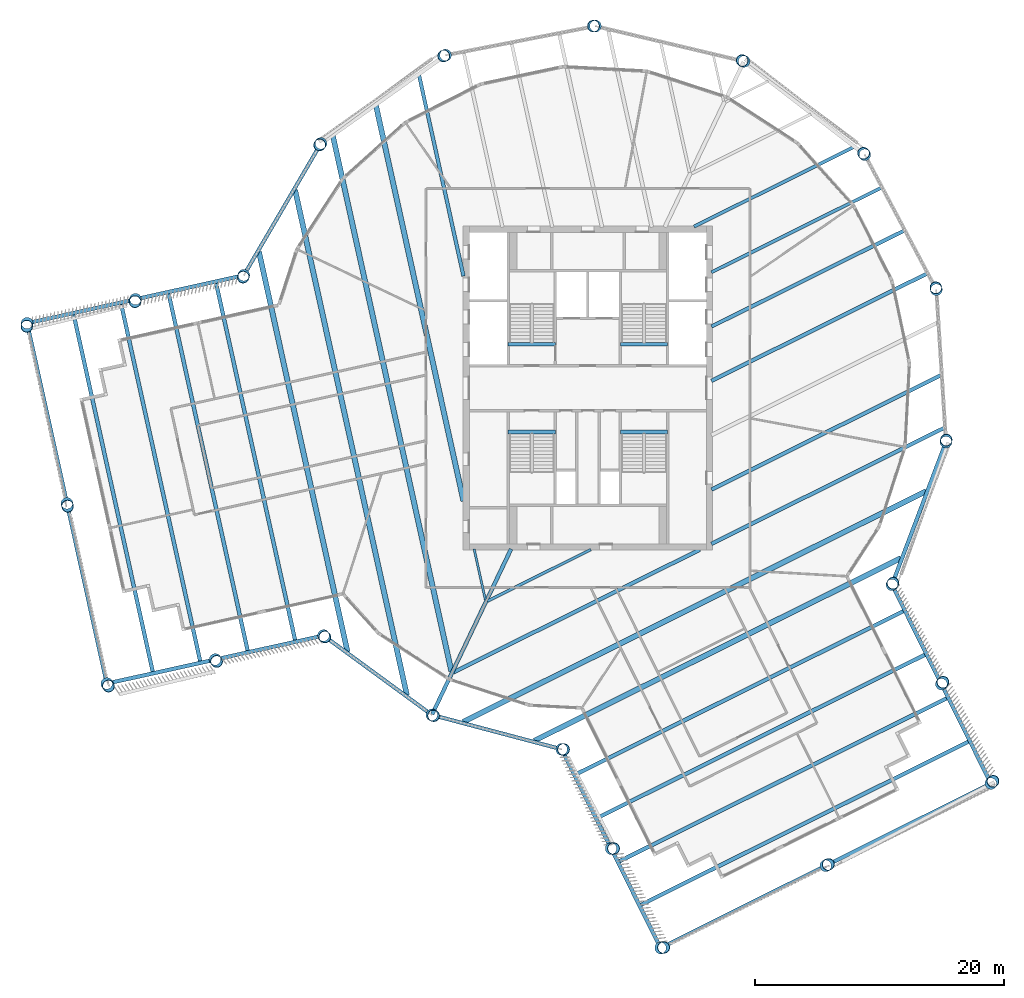
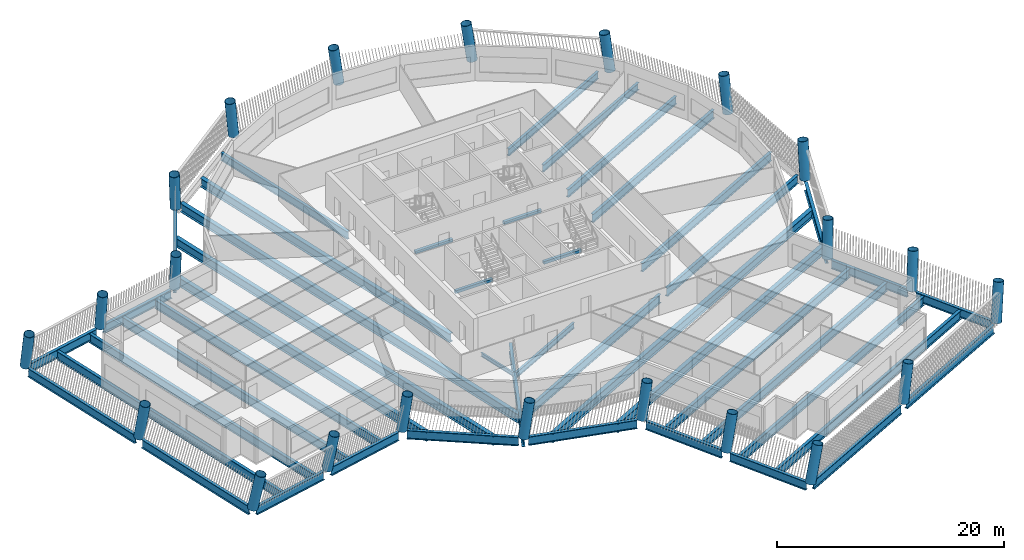
# One storey, part 1 of 14: 45 beams, 22 columns.
"""IFC4 building model written with IfcOpenShell, lengths in metres."""

from ifc_helpers import new_model, si_unit, direction, frame, origin, origin_2d, place, context, subcontext, project, spatial, rectangle, hollow_circle, i_section, extrude, material, material_profile, profile_set, type_object, element, save


model = new_model("IFC4")

# Units and contexts
model_context = context("Model", 3, precision=1e-05, world=origin(), true_north=direction((0.0, 1.0)))
body_context = subcontext(model_context, "Body", "Model", "MODEL_VIEW")
ifc_project = project(units=[si_unit("LENGTHUNIT", "METRE"), si_unit("AREAUNIT", "SQUARE_METRE"), si_unit("VOLUMEUNIT", "CUBIC_METRE"), si_unit("PLANEANGLEUNIT", "RADIAN"), si_unit("MASSUNIT", "GRAM", prefix="KILO")], contexts=[model_context])

# Site, building, storey
site_placement = place(None, origin())
site = spatial("IfcSite", under=ifc_project, at=site_placement, CompositionType="ELEMENT")
building_placement = place(site_placement, origin())
building = spatial("IfcBuilding", under=site, at=building_placement, Name="Tarsis Ring Headquarters", CompositionType="ELEMENT")
storey_placement = place(building_placement, frame((0.0, 0.0, 335.300048828125)))
storey = spatial("IfcBuildingStorey", under=building, at=storey_placement, Name="L79", CompositionType="ELEMENT", Elevation=335.300048828125)

# Columns
ifc_material_1 = material(Name="Structural steel S355", Category="steel")
ifc_material_profile_1 = material_profile(ifc_material_1, hollow_circle(Radius=0.482666015625, WallThickness=0.0400390625, at=origin_2d()), Name="CHS 965x40")
ifc_profile_set_1 = profile_set([ifc_material_profile_1], Name="Structural steel S355")
column_type = type_object("IfcColumnType", Name="XC Exo column CHS 965x40", PredefinedType="COLUMN", material=ifc_profile_set_1)
for number, where, z_axis, x_axis, name in (
    (1, (-12.5146484375, -26.21435546875, 0.0009765625), (0.121405783432, -0.056668445947, 0.990984017522), (0.422961547617, 0.906147631039, 0.0), "Exo column XC7 F1"),
    (2, (-2.10205078125, -28.972412109375, 0.0009765625), (0.133695658914, -0.00844132294, 0.990986485707), (0.063012873323, 0.998012714245, 0.0), "Exo column XC7 AK"),
):
    element("IfcColumn", number, at=place(storey_placement, frame(where, z_axis=z_axis, x_axis=x_axis)), inside=storey, type_object=column_type, Name=name, PredefinedType="COLUMN", context=body_context, shape_type="SweptSolid", body=[
        extrude(hollow_circle(Radius=0.482666015625, WallThickness=0.0400390625, at=origin_2d()), origin(), (0.0, 0.0, 1.0), 3.933349609375),
    ])
column_1_placement = place(storey_placement, frame((1.867431640625, -36.940673828125, 0.001220703125), z_axis=(0.169333814964, 0.010124223716, 0.98550675249), x_axis=(-0.059681976123, 0.998217442107, 0.0)))
element("IfcColumn", 3, at=column_1_placement, inside=storey, type_object=column_type, Name="Exo column XC7 AI1", PredefinedType="COLUMN", context=body_context, shape_type="SweptSolid", body=[
    extrude(hollow_circle(Radius=0.482666015625, WallThickness=0.0400390625, at=origin_2d()), origin(), (0.0, 0.0, 1.0), 3.954833984375),
])
column_2_placement = place(storey_placement, frame((5.8369140625, -44.908935546875, 0.00146484375), z_axis=(0.204258499275, 0.028444160763, 0.978503651088), x_axis=(-0.137924794398, 0.990442704597, 0.0)))
element("IfcColumn", 4, at=column_2_placement, inside=storey, type_object=column_type, Name="Exo column XC7 AT1", PredefinedType="COLUMN", context=body_context, shape_type="SweptSolid", body=[
    extrude(hollow_circle(Radius=0.482666015625, WallThickness=0.0400390625, at=origin_2d()), origin(), (0.0, 0.0, 1.0), 3.982666015625),
])
column_3_placement = place(storey_placement, frame((19.084228515625, -38.309814453125, 0.00146484375), z_axis=(0.174063811808, 0.088721547565, 0.980729461379), x_axis=(-0.45411892502, 0.890941076581, 0.0)))
element("IfcColumn", 5, at=column_3_placement, inside=storey, type_object=column_type, Name="Exo column XC7 AT2", PredefinedType="COLUMN", context=body_context, shape_type="SweptSolid", body=[
    extrude(hollow_circle(Radius=0.482666015625, WallThickness=0.0400390625, at=origin_2d()), origin(), (0.0, 0.0, 1.0), 3.9736328125),
])
column_4_placement = place(storey_placement, frame((32.33154296875, -31.71044921875, 0.00146484375), z_axis=(0.14301872557, 0.148535950303, 0.978510457585), x_axis=(-0.720358723884, 0.693601693282, 0.0)))
element("IfcColumn", 6, at=column_4_placement, inside=storey, type_object=column_type, Name="Exo column XC7 AT3", PredefinedType="COLUMN", context=body_context, shape_type="SweptSolid", body=[
    extrude(hollow_circle(Radius=0.482666015625, WallThickness=0.0400390625, at=origin_2d()), origin(), (0.0, 0.0, 1.0), 3.982666015625),
])
column_5_placement = place(storey_placement, frame((28.362060546875, -23.7421875, 0.001220703125), z_axis=(0.107723961498, 0.131059008745, 0.985504482154), x_axis=(-0.772528615969, 0.634979950478, 0.0)))
element("IfcColumn", 7, at=column_5_placement, inside=storey, type_object=column_type, Name="Exo column XC7 AO1", PredefinedType="COLUMN", context=body_context, shape_type="SweptSolid", body=[
    extrude(hollow_circle(Radius=0.482666015625, WallThickness=0.0400390625, at=origin_2d()), origin(), (0.0, 0.0, 1.0), 3.954833984375),
])
for number, where, z_axis, x_axis, name in (
    (8, (24.392578125, -15.77392578125, 0.0009765625), (0.07168929492, 0.113151155531, 0.990988123539), (-0.844728299688, 0.535195384608, 0.0), "Exo column XC7 AJ"),
    (9, (28.725830078125, -4.3173828125, 0.0009765625), (0.018744556684, 0.132701530432, 0.990978781516), (-0.990170572715, 0.139865066866, 0.0), "Exo column XC7 R1"),
    (10, (27.95166015625, 7.906982421875, 0.0009765625), (-0.037613381947, 0.12860549075, 0.990982270905), (-0.959792213692, -0.280711429294, 0.0), "Exo column XC7 R2"),
    (11, (22.20751953125, 18.7255859375, 0.0009765625), (-0.087268652884, 0.101606532555, 0.990989553308), (-0.75860199299, -0.651554307968, 0.0), "Exo column XC7 R3"),
    (12, (12.5146484375, 26.21435546875, 0.0009765625), (-0.121405783432, 0.056668445947, 0.990984017522), (-0.422961547617, -0.906147631039, 0.0), "Exo column XC7 R4"),
    (13, (0.5966796875, 29.04248046875, 0.0009765625), (-0.133944106501, 0.001489647153, 0.990987768484), (-0.011120720996, -0.99993816287, 0.0), "Exo column XC7 R5"),
    (14, (-11.42724609375, 26.70654296875, 0.0009765625), (-0.122709051227, -0.053813225804, 0.990982656496), (0.401620600329, -0.915806144002, 0.0), "Exo column XC7 R6"),
    (15, (-21.41943359375, 19.6220703125, 0.0009765625), (-0.08962647856, -0.099619458511, 0.990980856438), (0.743409291318, -0.668836770507, 0.0), "Exo column XC7 R7"),
    (16, (-27.603271484375, 9.048583984375, 0.0009765625), (-0.040592773494, -0.127674824276, 0.990985048316), (0.952992686483, -0.302993299446, 0.0), "Exo column XC7 BJ"),
):
    element("IfcColumn", number, at=place(storey_placement, frame(where, z_axis=z_axis, x_axis=x_axis)), inside=storey, type_object=column_type, Name=name, PredefinedType="COLUMN", context=body_context, shape_type="SweptSolid", body=[
        extrude(hollow_circle(Radius=0.482666015625, WallThickness=0.0400390625, at=origin_2d()), origin(), (0.0, 0.0, 1.0), 3.933349609375),
    ])
column_6_placement = place(storey_placement, frame((-36.295166015625, 7.124755859375, 0.001220703125), z_axis=(-0.031175231909, -0.166741190862, 0.985507727106), x_axis=(0.982966815355, -0.183783132823, 0.0)))
element("IfcColumn", 17, at=column_6_placement, inside=storey, type_object=column_type, Name="Exo column XC7 BO1", PredefinedType="COLUMN", context=body_context, shape_type="SweptSolid", body=[
    extrude(hollow_circle(Radius=0.482666015625, WallThickness=0.0400390625, at=origin_2d()), origin(), (0.0, 0.0, 1.0), 3.954833984375),
])
column_7_placement = place(storey_placement, frame((-44.987060546875, 5.200927734375, 0.00146484375), z_axis=(-0.021823609267, -0.205056103927, 0.978506885168), x_axis=(0.994384254821, -0.105829833996, 0.0)))
element("IfcColumn", 18, at=column_7_placement, inside=storey, type_object=column_type, Name="Exo column XC7 BT3", PredefinedType="COLUMN", context=body_context, shape_type="SweptSolid", body=[
    extrude(hollow_circle(Radius=0.482666015625, WallThickness=0.0400390625, at=origin_2d()), origin(), (0.0, 0.0, 1.0), 3.982666015625),
])
column_8_placement = place(storey_placement, frame((-41.78857421875, -9.249267578125, 0.00146484375), z_axis=(0.043930865272, -0.190346602257, 0.980733526543), x_axis=(0.974385894509, 0.224882477267, 0.0)))
element("IfcColumn", 19, at=column_8_placement, inside=storey, type_object=column_type, Name="Exo column XC7 BT2", PredefinedType="COLUMN", context=body_context, shape_type="SweptSolid", body=[
    extrude(hollow_circle(Radius=0.482666015625, WallThickness=0.0400390625, at=origin_2d()), origin(), (0.0, 0.0, 1.0), 3.9736328125),
])
column_9_placement = place(storey_placement, frame((-38.59033203125, -23.69970703125, 0.00146484375), z_axis=(0.109547140017, -0.174711443228, 0.978506686599), x_axis=(0.84722917854, 0.531227558614, 0.0)))
element("IfcColumn", 20, at=column_9_placement, inside=storey, type_object=column_type, Name="Exo column XC7 BT1", PredefinedType="COLUMN", context=body_context, shape_type="SweptSolid", body=[
    extrude(hollow_circle(Radius=0.482666015625, WallThickness=0.0400390625, at=origin_2d()), origin(), (0.0, 0.0, 1.0), 3.982666015625),
])
column_10_placement = place(storey_placement, frame((-29.8984375, -21.775634765625, 0.001220703125), z_axis=(0.101118203004, -0.136244123339, 0.985501216578), x_axis=(0.803002539536, 0.595975604785, 0.0)))
element("IfcColumn", 21, at=column_10_placement, inside=storey, type_object=column_type, Name="Exo column XC7 BI1", PredefinedType="COLUMN", context=body_context, shape_type="SweptSolid", body=[
    extrude(hollow_circle(Radius=0.482666015625, WallThickness=0.0400390625, at=origin_2d()), origin(), (0.0, 0.0, 1.0), 3.954833984375),
])
column_11_placement = place(storey_placement, frame((-21.20654296875, -19.851806640625, 0.0009765625), z_axis=(0.092419738152, -0.097012794313, 0.990982900831), x_axis=(0.724038776602, 0.689759269584, 0.0)))
element("IfcColumn", 22, at=column_11_placement, inside=storey, type_object=column_type, Name="Exo column XC7 BK", PredefinedType="COLUMN", context=body_context, shape_type="SweptSolid", body=[
    extrude(hollow_circle(Radius=0.482666015625, WallThickness=0.0400390625, at=origin_2d()), origin(), (0.0, 0.0, 1.0), 3.933349609375),
])

# Beams
ifc_material_profile_2 = material_profile(ifc_material_1, i_section(OverallWidth=0.177734375, OverallDepth=0.406494140625, WebThickness=0.0078125, FlangeThickness=0.0126953125, at=origin_2d()), Name="W16x40")
ifc_profile_set_2 = profile_set([ifc_material_profile_2], Name="Structural steel S355")
beam_type_1 = type_object("IfcBeamType", Name="FB Floor beam W16x40", PredefinedType="JOIST", material=ifc_profile_set_2)
beam_1_placement = place(storey_placement, frame((-9.12744140625, -12.90234375, -0.36328125), z_axis=(0.216080719934, -0.976375502802, 0.0), x_axis=(0.976375502802, 0.216080719934, 0.0)))
element("IfcBeam", 23, at=beam_1_placement, inside=storey, type_object=beam_type_1, Name="Floor beam FB1", PredefinedType="JOIST", context=body_context, shape_type="SweptSolid", body=[
    extrude(i_section(OverallWidth=0.177734375, OverallDepth=0.406494140625, WebThickness=0.0078125, FlangeThickness=0.0126953125, at=origin_2d()), origin(), (0.0, 0.0, 1.0), 4.198486328125),
])
ifc_material_profile_3 = material_profile(ifc_material_1, i_section(OverallWidth=0.228271484375, OverallDepth=0.607177734375, WebThickness=0.01123046875, FlangeThickness=0.017333984375, at=origin_2d()), Name="W24x76")
ifc_profile_set_3 = profile_set([ifc_material_profile_3], Name="Structural steel S355")
beam_type_2 = type_object("IfcBeamType", Name="FB Floor beam W24x76", PredefinedType="JOIST", material=ifc_profile_set_3)
beam_2_placement = place(storey_placement, frame((-8.051513671875, -17.082275390625, -0.463623046875), z_axis=(0.895080424613, 0.445904735874, 0.0), x_axis=(-0.445904735874, 0.895080424613, 0.0)))
element("IfcBeam", 24, at=beam_2_placement, inside=storey, type_object=beam_type_2, Name="Floor beam FB4", PredefinedType="JOIST", context=body_context, shape_type="SweptSolid", body=[
    extrude(i_section(OverallWidth=0.228271484375, OverallDepth=0.607177734375, WebThickness=0.01123046875, FlangeThickness=0.017333984375, at=origin_2d()), origin(), (0.0, 0.0, 1.0), 9.255126953125),
])
ifc_material_profile_4 = material_profile(ifc_material_1, i_section(OverallWidth=0.2666015625, OverallDepth=0.7568359375, WebThickness=0.013916015625, FlangeThickness=0.019287109375, at=origin_2d()), Name="W30x108")
ifc_profile_set_4 = profile_set([ifc_material_profile_4], Name="Structural steel S355")
beam_type_3 = type_object("IfcBeamType", Name="FB Floor beam W30x108", PredefinedType="JOIST", material=ifc_profile_set_4)
beam_3_placement = place(storey_placement, frame((8.513916015625, 12.955322265625, -0.53857421875), z_axis=(0.895088530555, 0.445888464159, 0.0), x_axis=(-0.445888464159, 0.895088530555, 0.0)))
element("IfcBeam", 25, at=beam_3_placement, inside=storey, type_object=beam_type_3, Name="Floor beam FB6", PredefinedType="JOIST", context=body_context, shape_type="SweptSolid", body=[
    extrude(i_section(OverallWidth=0.2666015625, OverallDepth=0.7568359375, WebThickness=0.013916015625, FlangeThickness=0.019287109375, at=origin_2d()), origin(), (0.0, 0.0, 1.0), 14.30224609375),
])
beam_4_placement = place(storey_placement, frame((9.910400390625, 9.2939453125, -0.53857421875), z_axis=(0.895089675318, 0.445886166121, 0.0), x_axis=(-0.445886166121, 0.895089675318, 0.0)))
element("IfcBeam", 26, at=beam_4_placement, inside=storey, type_object=beam_type_3, Name="Floor beam FB6", PredefinedType="JOIST", context=body_context, shape_type="SweptSolid", body=[
    extrude(i_section(OverallWidth=0.2666015625, OverallDepth=0.7568359375, WebThickness=0.013916015625, FlangeThickness=0.019287109375, at=origin_2d()), origin(), (0.0, 0.0, 1.0), 15.234130859375),
])
ifc_material_profile_5 = material_profile(ifc_material_1, i_section(OverallWidth=0.2919921875, OverallDepth=0.835693359375, WebThickness=0.013916015625, FlangeThickness=0.018798828125, at=origin_2d()), Name="W33x118")
ifc_profile_set_5 = profile_set([ifc_material_profile_5], Name="Structural steel S355")
beam_type_4 = type_object("IfcBeamType", Name="FB Floor beam W33x118", PredefinedType="JOIST", material=ifc_profile_set_5)
beam_5_placement = place(storey_placement, frame((9.910400390625, 4.936767578125, -0.577880859375), z_axis=(0.89509031273, 0.445884886554, 0.0), x_axis=(-0.445884886554, 0.89509031273, 0.0)))
element("IfcBeam", 27, at=beam_5_placement, inside=storey, type_object=beam_type_4, Name="Floor beam FB7", PredefinedType="JOIST", context=body_context, shape_type="SweptSolid", body=[
    extrude(i_section(OverallWidth=0.2919921875, OverallDepth=0.835693359375, WebThickness=0.013916015625, FlangeThickness=0.018798828125, at=origin_2d()), origin(), (0.0, 0.0, 1.0), 17.2783203125),
])
beam_6_placement = place(storey_placement, frame((-13.549560546875, 25.124755859375, -0.577880859375), z_axis=(0.216104463393, -0.976370247858, 0.0), x_axis=(0.976370247858, 0.216104463393, 0.0)))
element("IfcBeam", 28, at=beam_6_placement, inside=storey, type_object=beam_type_4, Name="Floor beam FB7", PredefinedType="JOIST", context=body_context, shape_type="SweptSolid", body=[
    extrude(i_section(OverallWidth=0.2919921875, OverallDepth=0.835693359375, WebThickness=0.013916015625, FlangeThickness=0.018798828125, at=origin_2d()), origin(), (0.0, 0.0, 1.0), 16.525634765625),
])
ifc_material_profile_6 = material_profile(ifc_material_1, i_section(OverallWidth=0.3046875, OverallDepth=0.904296875, WebThickness=0.01513671875, FlangeThickness=0.02001953125, at=origin_2d()), Name="W36x135")
ifc_profile_set_6 = profile_set([ifc_material_profile_6], Name="Structural steel S355")
beam_type_5 = type_object("IfcBeamType", Name="FB Floor beam W36x135", PredefinedType="JOIST", material=ifc_profile_set_6)
beam_7_placement = place(storey_placement, frame((9.910400390625, 0.579833984375, -0.612060546875), z_axis=(0.895093346069, 0.445878797234, 0.0), x_axis=(-0.445878797234, 0.895093346069, 0.0)))
element("IfcBeam", 29, at=beam_7_placement, inside=storey, type_object=beam_type_5, Name="Floor beam FB8", PredefinedType="JOIST", context=body_context, shape_type="SweptSolid", body=[
    extrude(i_section(OverallWidth=0.3046875, OverallDepth=0.904296875, WebThickness=0.01513671875, FlangeThickness=0.02001953125, at=origin_2d()), origin(), (0.0, 0.0, 1.0), 19.322021484375),
])
beam_8_placement = place(storey_placement, frame((9.910400390625, -8.134521484375, -0.612060546875), z_axis=(0.895088438869, 0.445888648211, 0.0), x_axis=(-0.445888648211, 0.895088438869, 0.0)))
element("IfcBeam", 30, at=beam_8_placement, inside=storey, type_object=beam_type_5, Name="Floor beam FB8", PredefinedType="JOIST", context=body_context, shape_type="SweptSolid", body=[
    extrude(i_section(OverallWidth=0.3046875, OverallDepth=0.904296875, WebThickness=0.01513671875, FlangeThickness=0.02001953125, at=origin_2d()), origin(), (0.0, 0.0, 1.0), 20.571533203125),
])
beam_9_placement = place(storey_placement, frame((9.910400390625, -12.491455078125, -0.612060546875), z_axis=(0.895092980693, 0.44587953072, 0.0), x_axis=(-0.44587953072, 0.895092980693, 0.0)))
element("IfcBeam", 31, at=beam_9_placement, inside=storey, type_object=beam_type_5, Name="Floor beam FB8", PredefinedType="JOIST", context=body_context, shape_type="SweptSolid", body=[
    extrude(i_section(OverallWidth=0.3046875, OverallDepth=0.904296875, WebThickness=0.01513671875, FlangeThickness=0.02001953125, at=origin_2d()), origin(), (0.0, 0.0, 1.0), 20.870361328125),
])
ifc_material_profile_7 = material_profile(ifc_material_1, i_section(OverallWidth=0.3046875, OverallDepth=0.91943359375, WebThickness=0.017333984375, FlangeThickness=0.02783203125, at=origin_2d()), Name="W36x170")
ifc_profile_set_7 = profile_set([ifc_material_profile_7], Name="Structural steel S355")
beam_type_6 = type_object("IfcBeamType", Name="FB Floor beam W36x170", PredefinedType="JOIST", material=ifc_profile_set_7)
beam_10_placement = place(storey_placement, frame((-10.78076171875, -22.798828125, -0.619873046875), z_axis=(0.89508754512, 0.44589044234, 0.0), x_axis=(-0.44589044234, 0.89508754512, 0.0)))
element("IfcBeam", 32, at=beam_10_placement, inside=storey, type_object=beam_type_6, Name="Floor beam FB9", PredefinedType="JOIST", context=body_context, shape_type="SweptSolid", body=[
    extrude(i_section(OverallWidth=0.3046875, OverallDepth=0.91943359375, WebThickness=0.017333984375, FlangeThickness=0.02783203125, at=origin_2d()), origin(), (0.0, 0.0, 1.0), 22.076171875),
])
ifc_material_profile_8 = material_profile(ifc_material_1, i_section(OverallWidth=0.309814453125, OverallDepth=0.949951171875, WebThickness=0.0244140625, FlangeThickness=0.0439453125, at=origin_2d()), Name="W36x256")
ifc_profile_set_8 = profile_set([ifc_material_profile_8], Name="Structural steel S355")
beam_type_7 = type_object("IfcBeamType", Name="FB Floor beam W36x256", PredefinedType="JOIST", material=ifc_profile_set_8)
beam_11_placement = place(storey_placement, frame((-1.025390625, -31.010498046875, -0.635009765625), z_axis=(0.895090161, 0.445885191144, 0.0), x_axis=(-0.445885191144, 0.895090161, 0.0)))
element("IfcBeam", 33, at=beam_11_placement, inside=storey, type_object=beam_type_7, Name="Floor beam FB11", PredefinedType="JOIST", context=body_context, shape_type="SweptSolid", body=[
    extrude(i_section(OverallWidth=0.309814453125, OverallDepth=0.949951171875, WebThickness=0.0244140625, FlangeThickness=0.0439453125, at=origin_2d()), origin(), (0.0, 0.0, 1.0), 29.489990234375),
])
beam_12_placement = place(storey_placement, frame((0.71337890625, -34.50146484375, -0.635009765625), z_axis=(0.89509180691, 0.445881887055, 0.0), x_axis=(-0.445881887055, 0.89509180691, 0.0)))
element("IfcBeam", 34, at=beam_12_placement, inside=storey, type_object=beam_type_7, Name="Floor beam FB11", PredefinedType="JOIST", context=body_context, shape_type="SweptSolid", body=[
    extrude(i_section(OverallWidth=0.309814453125, OverallDepth=0.949951171875, WebThickness=0.0244140625, FlangeThickness=0.0439453125, at=origin_2d()), origin(), (0.0, 0.0, 1.0), 29.490234375),
])
for number, where, z_axis, x_axis, name in (
    (35, (2.452392578125, -37.9921875, -0.635009765625), (0.895090161, 0.445885191144, 0.0), (-0.445885191144, 0.895090161, 0.0), "Floor beam FB11"),
    (36, (4.19140625, -41.483154296875, -0.635009765625), (0.895090161, 0.445885191144, 0.0), (-0.445885191144, 0.895090161, 0.0), "Floor beam FB11"),
    (37, (-29.84130859375, 8.4970703125, -0.635009765625), (0.21610026405, -0.976371177308, 0.0), (0.976371177308, 0.21610026405, 0.0), "Floor beam FB11"),
    (38, (-33.649169921875, 7.654296875, -0.635009765625), (0.21610026405, -0.976371177308, 0.0), (0.976371177308, 0.21610026405, 0.0), "Floor beam FB11"),
    (39, (-37.45703125, 6.8115234375, -0.635009765625), (0.21610026405, -0.976371177308, 0.0), (0.976371177308, 0.21610026405, 0.0), "Floor beam FB11"),
    (40, (-41.264892578125, 5.96875, -0.635009765625), (0.21610026405, -0.976371177308, 0.0), (0.976371177308, 0.21610026405, 0.0), "Floor beam FB11"),
):
    element("IfcBeam", number, at=place(storey_placement, frame(where, z_axis=z_axis, x_axis=x_axis)), inside=storey, type_object=beam_type_7, Name=name, PredefinedType="JOIST", context=body_context, shape_type="SweptSolid", body=[
        extrude(i_section(OverallWidth=0.309814453125, OverallDepth=0.949951171875, WebThickness=0.0244140625, FlangeThickness=0.0439453125, at=origin_2d()), origin(), (0.0, 0.0, 1.0), 29.489990234375),
    ])
beam_type_8 = type_object("IfcBeamType", Name="FB Floor beam W36x256 spine", PredefinedType="BEAM", material=ifc_profile_set_8)
beam_13_placement = place(storey_placement, frame((-6.1630859375, -12.90966796875, -0.635009765625), z_axis=(-0.430827135343, -0.902434473772, 0.0), x_axis=(0.902434473772, -0.430827135343, 0.0)))
element("IfcBeam", 41, at=beam_13_placement, inside=storey, type_object=beam_type_8, Name="Floor beam SB11", PredefinedType="BEAM", context=body_context, shape_type="SweptSolid", body=[
    extrude(i_section(OverallWidth=0.309814453125, OverallDepth=0.949951171875, WebThickness=0.0244140625, FlangeThickness=0.0439453125, at=origin_2d()), origin(), (0.0, 0.0, 1.0), 14.685546875),
])
ifc_material_profile_9 = material_profile(ifc_material_1, i_section(OverallWidth=0.42431640625, OverallDepth=0.947509765625, WebThickness=0.02392578125, FlangeThickness=0.042724609375, at=origin_2d()), Name="W36x302")
ifc_profile_set_9 = profile_set([ifc_material_profile_9], Name="Structural steel S355")
beam_type_9 = type_object("IfcBeamType", Name="FB Floor beam W36x302", PredefinedType="JOIST", material=ifc_profile_set_9)
beam_14_placement = place(storey_placement, frame((-10.0283203125, -26.781005859375, -0.6337890625), z_axis=(0.895089419583, 0.445886679495, 0.0), x_axis=(-0.445886679495, 0.895089419583, 0.0)))
element("IfcBeam", 42, at=beam_14_placement, inside=storey, type_object=beam_type_9, Name="Floor beam FB12", PredefinedType="JOIST", context=body_context, shape_type="SweptSolid", body=[
    extrude(i_section(OverallWidth=0.42431640625, OverallDepth=0.947509765625, WebThickness=0.02392578125, FlangeThickness=0.042724609375, at=origin_2d()), origin(), (0.0, 0.0, 1.0), 41.523681640625),
])
beam_15_placement = place(storey_placement, frame((-4.31787109375, -28.29345703125, -0.6337890625), z_axis=(0.895090109765, 0.445885293995, 0.0), x_axis=(-0.445885293995, 0.895090109765, 0.0)))
element("IfcBeam", 43, at=beam_15_placement, inside=storey, type_object=beam_type_9, Name="Floor beam FB12", PredefinedType="JOIST", context=body_context, shape_type="SweptSolid", body=[
    extrude(i_section(OverallWidth=0.42431640625, OverallDepth=0.947509765625, WebThickness=0.02392578125, FlangeThickness=0.042724609375, at=origin_2d()), origin(), (0.0, 0.0, 1.0), 32.87548828125),
])
beam_16_placement = place(storey_placement, frame((-17.002197265625, 22.6767578125, -0.6337890625), z_axis=(0.216103241245, -0.97637051836, 0.0), x_axis=(0.97637051836, 0.216103241245, 0.0)))
element("IfcBeam", 44, at=beam_16_placement, inside=storey, type_object=beam_type_9, Name="Floor beam FB12", PredefinedType="JOIST", context=body_context, shape_type="SweptSolid", body=[
    extrude(i_section(OverallWidth=0.42431640625, OverallDepth=0.947509765625, WebThickness=0.02392578125, FlangeThickness=0.042724609375, at=origin_2d()), origin(), (0.0, 0.0, 1.0), 32.502685546875),
])
beam_17_placement = place(storey_placement, frame((-20.454833984375, 20.22900390625, -0.6337890625), z_axis=(0.216102334932, -0.976370718957, 0.0), x_axis=(0.976370718957, 0.216102334932, 0.0)))
element("IfcBeam", 45, at=beam_17_placement, inside=storey, type_object=beam_type_9, Name="Floor beam FB12", PredefinedType="JOIST", context=body_context, shape_type="SweptSolid", body=[
    extrude(i_section(OverallWidth=0.42431640625, OverallDepth=0.947509765625, WebThickness=0.02392578125, FlangeThickness=0.042724609375, at=origin_2d()), origin(), (0.0, 0.0, 1.0), 43.986572265625),
])
beam_18_placement = place(storey_placement, frame((-23.4921875, 15.905517578125, -0.6337890625), z_axis=(0.216096177324, -0.976372081814, 0.0), x_axis=(0.976372081814, 0.216096177324, 0.0)))
element("IfcBeam", 46, at=beam_18_placement, inside=storey, type_object=beam_type_9, Name="Floor beam FB12", PredefinedType="JOIST", context=body_context, shape_type="SweptSolid", body=[
    extrude(i_section(OverallWidth=0.42431640625, OverallDepth=0.947509765625, WebThickness=0.02392578125, FlangeThickness=0.042724609375, at=origin_2d()), origin(), (0.0, 0.0, 1.0), 41.52392578125),
])
beam_19_placement = place(storey_placement, frame((-26.389892578125, 10.95068359375, -0.6337890625), z_axis=(0.216097673133, -0.976371750752, 0.0), x_axis=(0.976371750752, 0.216097673133, 0.0)))
element("IfcBeam", 47, at=beam_19_placement, inside=storey, type_object=beam_type_9, Name="Floor beam FB12", PredefinedType="JOIST", context=body_context, shape_type="SweptSolid", body=[
    extrude(i_section(OverallWidth=0.42431640625, OverallDepth=0.947509765625, WebThickness=0.02392578125, FlangeThickness=0.042724609375, at=origin_2d()), origin(), (0.0, 0.0, 1.0), 32.875244140625),
])
ifc_material_2 = material(Name="Concrete C40/50", Category="concrete")
ifc_material_profile_10 = material_profile(ifc_material_2, rectangle(XDim=0.300048828125, YDim=0.300048828125, at=origin_2d()), Name="Stair head beam 300x300 C40/50")
ifc_profile_set_10 = profile_set([ifc_material_profile_10], Name="Concrete C40/50")
beam_type_10 = type_object("IfcBeamType", Name="Stair head beam 300x300 C40/50", PredefinedType="BEAM", material=ifc_profile_set_10)
for number, where, z_axis, x_axis, name in (
    (48, (-6.39990234375, 3.510009765625, -0.31005859375), (1.0, 0.0, 0.0), (0.0, 1.0, 0.0), "Stair head beam L79 Firefighting stair"),
    (49, (2.60009765625, 3.510009765625, -0.31005859375), (1.0, 0.0, 0.0), (0.0, 1.0, 0.0), "Stair head beam L79 Exit stair B"),
    (50, (-6.39990234375, -3.510009765625, -0.31005859375), (1.0, 0.0, 0.0), (0.0, 1.0, 0.0), "Stair head beam L79 Exit stair C"),
    (51, (2.60009765625, -3.510009765625, -0.31005859375), (1.0, 0.0, 0.0), (0.0, 1.0, 0.0), "Stair head beam L79 Exit stair D"),
):
    element("IfcBeam", number, at=place(storey_placement, frame(where, z_axis=z_axis, x_axis=x_axis)), inside=storey, type_object=beam_type_10, Name=name, PredefinedType="BEAM", context=body_context, shape_type="SweptSolid", body=[
        extrude(rectangle(XDim=0.300048828125, YDim=0.300048828125, at=origin_2d()), origin(), (0.0, 0.0, 1.0), 3.7998046875),
    ])
ifc_material_profile_11 = material_profile(ifc_material_1, i_section(OverallWidth=0.309814453125, OverallDepth=0.93212890625, WebThickness=0.02099609375, FlangeThickness=0.034423828125, at=origin_2d()), Name="W36x210")
ifc_profile_set_11 = profile_set([ifc_material_profile_11], Name="Structural steel S355")
beam_type_11 = type_object("IfcBeamType", Name="XG Ring girder W36x210", PredefinedType="BEAM", material=ifc_profile_set_11)
beam_20_placement = place(storey_placement, frame((-12.094970703125, -26.32568359375, -0.466064453125), z_axis=(0.96667096002, -0.256021981582, 0.0), x_axis=(0.256021981582, 0.96667096002, 0.0)))
element("IfcBeam", 52, at=beam_20_placement, inside=storey, type_object=beam_type_11, Name="Ring girder XG3", PredefinedType="BEAM", context=body_context, shape_type="SweptSolid", body=[
    extrude(i_section(OverallWidth=0.309814453125, OverallDepth=0.93212890625, WebThickness=0.02099609375, FlangeThickness=0.034423828125, at=origin_2d()), origin(), (0.0, 0.0, 1.0), 9.903076171875),
])
for number, where, z_axis, x_axis, name in (
    (53, (-1.908447265625, -29.361083984375, -0.466064453125), (0.445875954124, -0.895094762321, 0.0), (0.895094762321, 0.445875954124, 0.0), "Ring girder XG3"),
    (54, (2.060791015625, -37.329345703125, -0.466064453125), (0.445875954124, -0.895094762321, 0.0), (0.895094762321, 0.445875954124, 0.0), "Ring girder XG3"),
):
    element("IfcBeam", number, at=place(storey_placement, frame(where, z_axis=z_axis, x_axis=x_axis)), inside=storey, type_object=beam_type_11, Name=name, PredefinedType="BEAM", context=body_context, shape_type="SweptSolid", body=[
        extrude(i_section(OverallWidth=0.309814453125, OverallDepth=0.93212890625, WebThickness=0.02099609375, FlangeThickness=0.034423828125, at=origin_2d()), origin(), (0.0, 0.0, 1.0), 8.03369140625),
    ])
for number, where, z_axis, x_axis, name in (
    (55, (6.225341796875, -44.71533203125, -0.466064453125), (0.895085144126, 0.445895262102, 0.0), (-0.445895262102, 0.895085144126, 0.0), "Ring girder XG3"),
    (56, (19.47265625, -38.1162109375, -0.466064453125), (0.895085144126, 0.445895262102, 0.0), (-0.445895262102, 0.895085144126, 0.0), "Ring girder XG3"),
):
    element("IfcBeam", number, at=place(storey_placement, frame(where, z_axis=z_axis, x_axis=x_axis)), inside=storey, type_object=beam_type_11, Name=name, PredefinedType="BEAM", context=body_context, shape_type="SweptSolid", body=[
        extrude(i_section(OverallWidth=0.309814453125, OverallDepth=0.93212890625, WebThickness=0.02099609375, FlangeThickness=0.034423828125, at=origin_2d()), origin(), (0.0, 0.0, 1.0), 13.931396484375),
    ])
for number, where, z_axis, x_axis, name in (
    (57, (32.137451171875, -31.322021484375, -0.466064453125), (-0.445875954124, 0.895094762321, 0.0), (-0.895094762321, -0.445875954124, 0.0), "Ring girder XG3"),
    (58, (28.168212890625, -23.353759765625, -0.466064453125), (-0.445875954124, 0.895094762321, 0.0), (-0.895094762321, -0.445875954124, 0.0), "Ring girder XG3"),
):
    element("IfcBeam", number, at=place(storey_placement, frame(where, z_axis=z_axis, x_axis=x_axis)), inside=storey, type_object=beam_type_11, Name=name, PredefinedType="BEAM", context=body_context, shape_type="SweptSolid", body=[
        extrude(i_section(OverallWidth=0.309814453125, OverallDepth=0.93212890625, WebThickness=0.02099609375, FlangeThickness=0.034423828125, at=origin_2d()), origin(), (0.0, 0.0, 1.0), 8.03369140625),
    ])
beam_21_placement = place(storey_placement, frame((24.546142578125, -15.367919921875, -0.466064453125), z_axis=(0.353781019227, 0.935328279501, 0.0), x_axis=(-0.935328279501, 0.353781019227, 0.0)))
element("IfcBeam", 59, at=beam_21_placement, inside=storey, type_object=beam_type_11, Name="Ring girder XG3", PredefinedType="BEAM", context=body_context, shape_type="SweptSolid", body=[
    extrude(i_section(OverallWidth=0.309814453125, OverallDepth=0.93212890625, WebThickness=0.02099609375, FlangeThickness=0.034423828125, at=origin_2d()), origin(), (0.0, 0.0, 1.0), 11.38037109375),
])
beam_22_placement = place(storey_placement, frame((-21.638671875, 19.2470703125, -0.466064453125), z_axis=(-0.504847122242, -0.863208771482, 0.0), x_axis=(0.863208771482, -0.504847122242, 0.0)))
element("IfcBeam", 60, at=beam_22_placement, inside=storey, type_object=beam_type_11, Name="Ring girder XG3", PredefinedType="BEAM", context=body_context, shape_type="SweptSolid", body=[
    extrude(i_section(OverallWidth=0.309814453125, OverallDepth=0.93212890625, WebThickness=0.02099609375, FlangeThickness=0.034423828125, at=origin_2d()), origin(), (0.0, 0.0, 1.0), 11.3798828125),
])
beam_23_placement = place(storey_placement, frame((-28.02734375, 8.954833984375, -0.466064453125), z_axis=(-0.976376891944, -0.216074442907, 0.0), x_axis=(0.216074442907, -0.976376891944, 0.0)))
element("IfcBeam", 61, at=beam_23_placement, inside=storey, type_object=beam_type_11, Name="Ring girder XG3", PredefinedType="BEAM", context=body_context, shape_type="SweptSolid", body=[
    extrude(i_section(OverallWidth=0.309814453125, OverallDepth=0.93212890625, WebThickness=0.02099609375, FlangeThickness=0.034423828125, at=origin_2d()), origin(), (0.0, 0.0, 1.0), 8.033447265625),
])
beam_24_placement = place(storey_placement, frame((-36.71923828125, 7.03125, -0.466064453125), z_axis=(-0.976370480129, -0.216103413975, 0.0), x_axis=(0.216103413975, -0.976370480129, 0.0)))
element("IfcBeam", 62, at=beam_24_placement, inside=storey, type_object=beam_type_11, Name="Ring girder XG3", PredefinedType="BEAM", context=body_context, shape_type="SweptSolid", body=[
    extrude(i_section(OverallWidth=0.309814453125, OverallDepth=0.93212890625, WebThickness=0.02099609375, FlangeThickness=0.034423828125, at=origin_2d()), origin(), (0.0, 0.0, 1.0), 8.03369140625),
])
for number, where, z_axis, x_axis, name in (
    (63, (-44.89306640625, 4.777099609375, -0.466064453125), (0.216097233348, -0.976371848088, 0.0), (0.976371848088, 0.216097233348, 0.0), "Ring girder XG3"),
    (64, (-41.69482421875, -9.673095703125, -0.466064453125), (0.216097233348, -0.976371848088, 0.0), (0.976371848088, 0.216097233348, 0.0), "Ring girder XG3"),
):
    element("IfcBeam", number, at=place(storey_placement, frame(where, z_axis=z_axis, x_axis=x_axis)), inside=storey, type_object=beam_type_11, Name=name, PredefinedType="BEAM", context=body_context, shape_type="SweptSolid", body=[
        extrude(i_section(OverallWidth=0.309814453125, OverallDepth=0.93212890625, WebThickness=0.02099609375, FlangeThickness=0.034423828125, at=origin_2d()), origin(), (0.0, 0.0, 1.0), 13.93115234375),
    ])
for number, where, z_axis, x_axis, name in (
    (65, (-38.166259765625, -23.60546875, -0.466064453125), (0.976370480129, 0.216103413975, 0.0), (-0.216103413975, 0.976370480129, 0.0), "Ring girder XG3"),
    (66, (-29.474365234375, -21.681640625, -0.466064453125), (0.976370480129, 0.216103413975, 0.0), (-0.216103413975, 0.976370480129, 0.0), "Ring girder XG3"),
):
    element("IfcBeam", number, at=place(storey_placement, frame(where, z_axis=z_axis, x_axis=x_axis)), inside=storey, type_object=beam_type_11, Name=name, PredefinedType="BEAM", context=body_context, shape_type="SweptSolid", body=[
        extrude(i_section(OverallWidth=0.309814453125, OverallDepth=0.93212890625, WebThickness=0.02099609375, FlangeThickness=0.034423828125, at=origin_2d()), origin(), (0.0, 0.0, 1.0), 8.03369140625),
    ])
beam_25_placement = place(storey_placement, frame((-20.856201171875, -20.1083984375, -0.466064453125), z_axis=(0.806918842452, -0.590662324595, 0.0), x_axis=(0.590662324595, 0.806918842452, 0.0)))
element("IfcBeam", 67, at=beam_25_placement, inside=storey, type_object=beam_type_11, Name="Ring girder XG3", PredefinedType="BEAM", context=body_context, shape_type="SweptSolid", body=[
    extrude(i_section(OverallWidth=0.309814453125, OverallDepth=0.93212890625, WebThickness=0.02099609375, FlangeThickness=0.034423828125, at=origin_2d()), origin(), (0.0, 0.0, 1.0), 9.903076171875),
])

save(model, "model.ifc")
